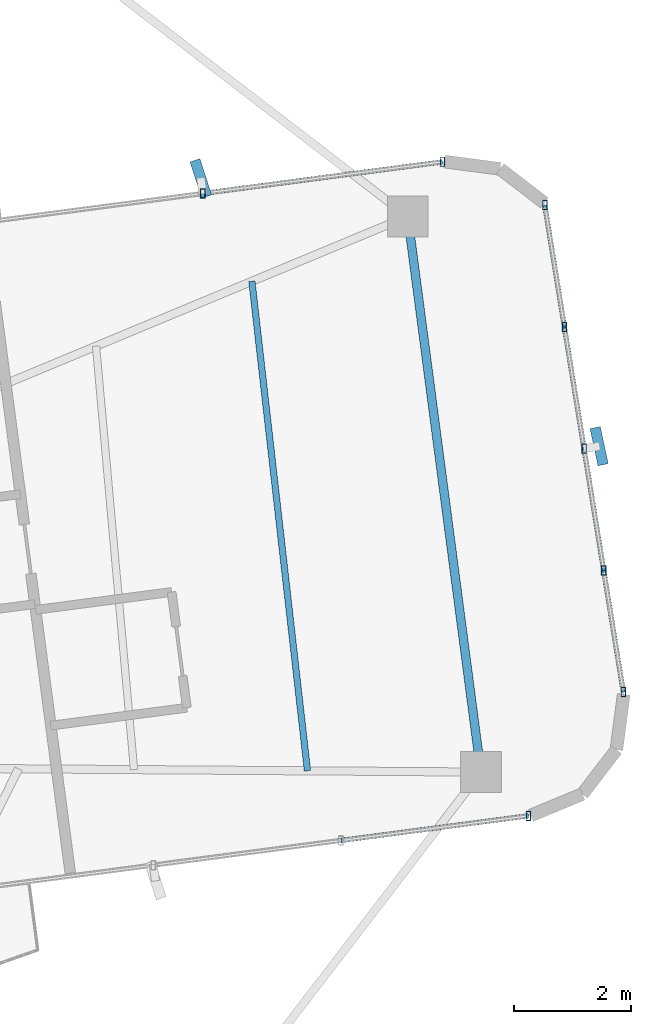
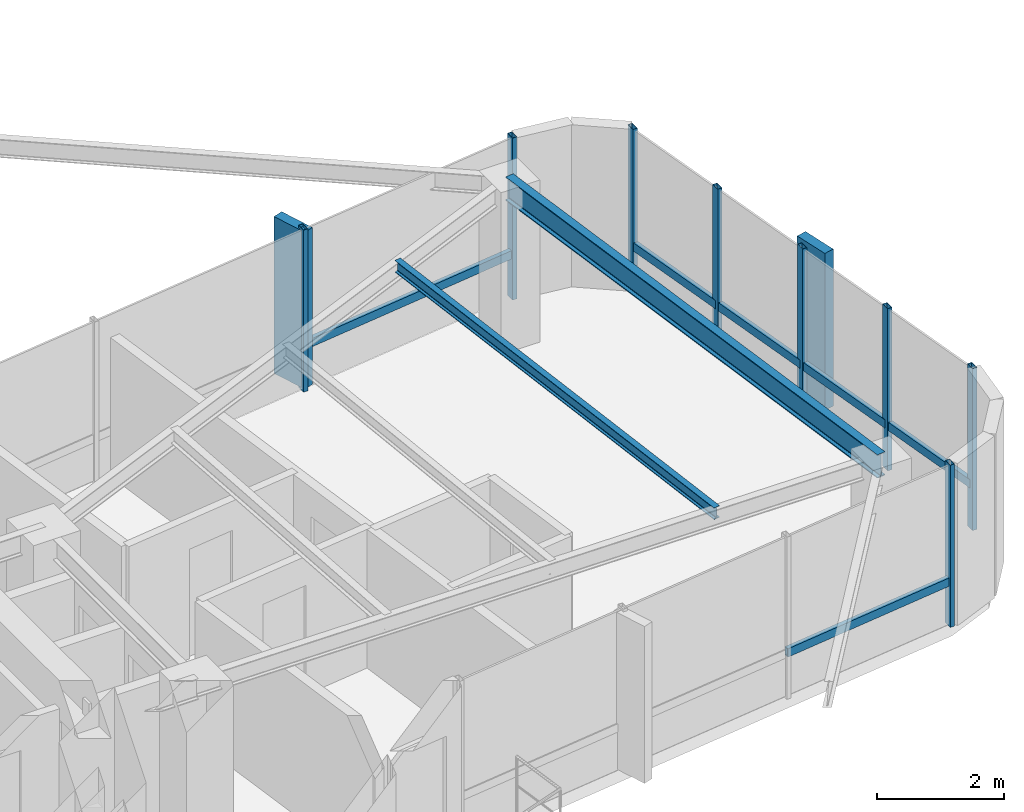
# One storey, part 12 of 21: 16 members, 2 beams, 3 elements without a shape of their own.
"""IFC4 building model written with IfcOpenShell, lengths in metres."""

from ifc_helpers import new_model, si_unit, direction, frame, origin, origin_2d, place, context, subcontext, project, spatial, rectangle, hollow_rectangle, i_section, extrude, source, transform, mapped, material, material_profile, profile_set, type_object, element, aggregate, save


model = new_model("IFC4")

# Units and contexts
model_context = context("Model", 3, precision=1e-05, world=origin(), true_north=direction((0.0, 1.0)))
body_context = subcontext(model_context, "Body", "Model", "MODEL_VIEW")
ifc_project = project(units=[si_unit("LENGTHUNIT", "METRE"), si_unit("AREAUNIT", "SQUARE_METRE"), si_unit("VOLUMEUNIT", "CUBIC_METRE"), si_unit("PLANEANGLEUNIT", "RADIAN"), si_unit("MASSUNIT", "GRAM", prefix="KILO")], contexts=[model_context])

# Site, building, storey
site_placement = place(None, origin())
site = spatial("IfcSite", under=ifc_project, at=site_placement, CompositionType="ELEMENT")
building_placement = place(site_placement, origin())
building = spatial("IfcBuilding", under=site, at=building_placement, Name="Sahyath Konkavel Grand Hotel", CompositionType="ELEMENT")
storey_placement = place(building_placement, frame((0.0, 0.0, 209.85009765625)))
storey = spatial("IfcBuildingStorey", under=building, at=storey_placement, Name="L58", CompositionType="ELEMENT", Elevation=209.85009765625)

# Beams
ifc_material_1 = material(Name="Steel E350", Category="steel")
ifc_material_profile_1 = material_profile(ifc_material_1, i_section(OverallWidth=0.14990234375, OverallDepth=0.449951171875, WebThickness=0.009521484375, FlangeThickness=0.017333984375, FilletRadius=0.014892578125, at=origin_2d()), Name="ISMB 450")
ifc_profile_set_1 = profile_set([ifc_material_profile_1], Name="Steel E350")
beam_type_1 = type_object("IfcBeamType", Name="BM-ISMB450", PredefinedType="BEAM", material=ifc_profile_set_1)
shared_shape_1 = source(origin(), body_context, "Body", "SweptSolid", [
    extrude(i_section(OverallWidth=0.14990234375, OverallDepth=0.449951171875, WebThickness=0.009521484375, FlangeThickness=0.017333984375, FilletRadius=0.014892578125, at=origin_2d()), origin(), (0.0, 0.0, 1.0), 9.599853515625),
])
beam_1_placement = place(storey_placement, frame((17.877685546875, -2.48779296875, 2.885009765625), z_axis=(-0.130539375757, 0.991443125639, 0.0), x_axis=(-0.991443125639, -0.130539375757, 0.0)))
element("IfcBeam", 1, at=beam_1_placement, inside=storey, type_object=beam_type_1, Name="L58 Wing Tip Edge Beam E", PredefinedType="BEAM", context=body_context, shape_type="MappedRepresentation", body=[
    mapped(shared_shape_1, transform((0.0, 0.0, 0.0), scale=1.0)),
])
ifc_material_profile_2 = material_profile(ifc_material_1, i_section(OverallWidth=0.110107421875, OverallDepth=0.22509765625, WebThickness=0.006591796875, FlangeThickness=0.01171875, FilletRadius=0.011962890625, at=origin_2d()), Name="ISMB 225")
ifc_profile_set_2 = profile_set([ifc_material_profile_2], Name="Steel E350")
beam_type_2 = type_object("IfcBeamType", Name="BM-ISMB225", PredefinedType="BEAM", material=ifc_profile_set_2)
shared_shape_2 = source(origin(), body_context, "Body", "SweptSolid", [
    extrude(i_section(OverallWidth=0.110107421875, OverallDepth=0.22509765625, WebThickness=0.006591796875, FlangeThickness=0.01171875, FilletRadius=0.011962890625, at=origin_2d()), origin(), (0.0, 0.0, 1.0), 8.439697265625),
])
beam_2_placement = place(storey_placement, frame((14.906982421875, -2.466796875, 2.997314453125), z_axis=(-0.112847377236, 0.993612333584, 0.0), x_axis=(-0.993612333584, -0.112847377236, 0.0)))
element("IfcBeam", 2, at=beam_2_placement, inside=storey, type_object=beam_type_2, Name="L58 Secondary Floor Beam E-3", PredefinedType="BEAM", context=body_context, shape_type="MappedRepresentation", body=[
    mapped(shared_shape_2, transform((0.0, 0.0, 0.0), scale=1.0)),
])

# Curtain wall, member
ifc_material_2 = material(Name="Anodised Bronze Aluminium & Low-E Glazing", Category="aluminium")
curtain_wall_type = type_object("IfcCurtainWallType", Name="CW-ZONE4", PredefinedType="NOTDEFINED", material=ifc_material_2)
curtain_wall_1_placement = place(storey_placement, origin())
curtain_wall_1 = element("IfcCurtainWall", 3, at=curtain_wall_1_placement, inside=storey, type_object=curtain_wall_type, Name="L58 Unitised Curtain Wall F0", PredefinedType="NOTDEFINED")
ifc_material_3 = material(Name="Anodised Bronze Aluminium", Category="aluminium")
ifc_material_profile_3 = material_profile(ifc_material_3, hollow_rectangle(XDim=0.080078125, YDim=0.159912109375, WallThickness=0.006103515625, at=origin_2d()), Name="RHS 160x80x6")
ifc_profile_set_3 = profile_set([ifc_material_profile_3], Name="Anodised Bronze Aluminium")
member_type_1 = type_object("IfcMemberType", Name="CW-MUL-160", PredefinedType="MULLION", material=ifc_profile_set_3)
shared_shape_3 = source(origin(), body_context, "Body", "SweptSolid", [
    extrude(hollow_rectangle(XDim=0.080078125, YDim=0.159912109375, WallThickness=0.006103515625, at=origin_2d()), origin(), (0.0, 0.0, 1.0), 3.10986328125),
])
member_1_placement = place(storey_placement, frame((18.6923828125, -3.23779296875, 0.0), z_axis=(0.0, 0.0, 1.0), x_axis=(1.0, 0.0, 0.0)))
member_1 = element("IfcMember", 4, at=member_1_placement, type_object=member_type_1, Name="L58 Curtain Wall Mullion F0-3", PredefinedType="MULLION", context=body_context, shape_type="MappedRepresentation", body=[
    mapped(shared_shape_3, transform((0.0, 0.0, 0.0), scale=1.0)),
])

# Curtain wall, members
curtain_wall_2_placement = place(storey_placement, origin())
curtain_wall_2 = element("IfcCurtainWall", 5, at=curtain_wall_2_placement, inside=storey, type_object=curtain_wall_type, Name="L58 Unitised Curtain Wall F4", PredefinedType="NOTDEFINED")
member_2_placement = place(storey_placement, frame((20.318603515625, -1.117431640625, 0.0), z_axis=(0.0, 0.0, 1.0), x_axis=(1.0, 0.0, 0.0)))
member_2 = element("IfcMember", 6, at=member_2_placement, type_object=member_type_1, Name="L58 Curtain Wall Mullion F4-0", PredefinedType="MULLION", context=body_context, shape_type="MappedRepresentation", body=[
    mapped(shared_shape_3, transform((0.0, 0.0, 0.0), scale=1.0)),
])
member_3_placement = place(storey_placement, frame((19.982177734375, 0.9677734375, 0.0), z_axis=(0.0, 0.0, 1.0), x_axis=(1.0, 0.0, 0.0)))
member_3 = element("IfcMember", 7, at=member_3_placement, type_object=member_type_1, Name="L58 Curtain Wall Mullion F4-1", PredefinedType="MULLION", context=body_context, shape_type="MappedRepresentation", body=[
    mapped(shared_shape_3, transform((0.0, 0.0, 0.0), scale=1.0)),
])
member_4_placement = place(storey_placement, frame((19.6455078125, 3.052734375, 0.0), z_axis=(0.0, 0.0, 1.0), x_axis=(1.0, 0.0, 0.0)))
member_4 = element("IfcMember", 8, at=member_4_placement, type_object=member_type_1, Name="L58 Curtain Wall Mullion F4-2", PredefinedType="MULLION", context=body_context, shape_type="MappedRepresentation", body=[
    mapped(shared_shape_3, transform((0.0, 0.0, 0.0), scale=1.0)),
])
member_5_placement = place(storey_placement, frame((19.30908203125, 5.137939453125, 0.0), z_axis=(0.0, 0.0, 1.0), x_axis=(1.0, 0.0, 0.0)))
member_5 = element("IfcMember", 9, at=member_5_placement, type_object=member_type_1, Name="L58 Curtain Wall Mullion F4-3", PredefinedType="MULLION", context=body_context, shape_type="MappedRepresentation", body=[
    mapped(shared_shape_3, transform((0.0, 0.0, 0.0), scale=1.0)),
])
member_6_placement = place(storey_placement, frame((18.972900390625, 7.22314453125, 0.0), z_axis=(0.0, 0.0, 1.0), x_axis=(1.0, 0.0, 0.0)))
member_6 = element("IfcMember", 10, at=member_6_placement, type_object=member_type_1, Name="L58 Curtain Wall Mullion F4-4", PredefinedType="MULLION", context=body_context, shape_type="MappedRepresentation", body=[
    mapped(shared_shape_3, transform((0.0, 0.0, 0.0), scale=1.0)),
])

curtain_wall_3_placement = place(storey_placement, origin())
curtain_wall_3 = element("IfcCurtainWall", 11, at=curtain_wall_3_placement, inside=storey, type_object=curtain_wall_type, Name="L58 Unitised Curtain Wall F7", PredefinedType="NOTDEFINED")
member_7_placement = place(storey_placement, frame((17.217529296875, 7.965576171875, 0.0), z_axis=(0.0, 0.0, 1.0), x_axis=(1.0, 0.0, 0.0)))
member_7 = element("IfcMember", 12, at=member_7_placement, type_object=member_type_1, Name="L58 Curtain Wall Mullion F7-0", PredefinedType="MULLION", context=body_context, shape_type="MappedRepresentation", body=[
    mapped(shared_shape_3, transform((0.0, 0.0, 0.0), scale=1.0)),
])
member_8_placement = place(storey_placement, frame((13.113037109375, 7.425048828125, 0.0), z_axis=(0.0, 0.0, 1.0), x_axis=(1.0, 0.0, 0.0)))
member_8 = element("IfcMember", 13, at=member_8_placement, type_object=member_type_1, Name="L58 Curtain Wall Mullion F7-1", PredefinedType="MULLION", context=body_context, shape_type="MappedRepresentation", body=[
    mapped(shared_shape_3, transform((0.0, 0.0, 0.0), scale=1.0)),
])

# Member
ifc_material_4 = material(Name="Warm Buff Sandstone Cladding on Concrete C50/60", Category="masonry")
ifc_material_profile_4 = material_profile(ifc_material_4, rectangle(XDim=0.179931640625, YDim=0.64990234375, at=origin_2d()), Name="FIN 180x650")
ifc_profile_set_4 = profile_set([ifc_material_profile_4], Name="Warm Buff Sandstone Cladding on Concrete C50/60")
member_type_2 = type_object("IfcMemberType", Name="FIN-SANDSTONE-650", PredefinedType="MULLION", material=ifc_profile_set_4)
shared_shape_4 = source(origin(), body_context, "Body", "SweptSolid", [
    extrude(rectangle(XDim=0.179931640625, YDim=0.64990234375, at=origin_2d()), origin(), (0.0, 0.0, 1.0), 3.010009765625),
])
member_9_placement = place(storey_placement, frame((19.90234375, 3.09423828125, 0.0498046875), z_axis=(0.0, 0.0, 1.0), x_axis=(0.977746636525, 0.209789215079, 0.0)))
member_9 = element("IfcMember", 14, at=member_9_placement, type_object=member_type_2, Name="L58 Sandstone Vertical Solar Fin FIN F4-2", PredefinedType="MULLION", context=body_context, shape_type="MappedRepresentation", body=[
    mapped(shared_shape_4, transform((0.0, 0.0, 0.0), scale=1.0)),
])

member_10_placement = place(storey_placement, frame((13.0791015625, 7.682861328125, 0.0498046875), z_axis=(0.0, 0.0, 1.0), x_axis=(0.951164325631, 0.308684994204, 0.0)))
member_10 = element("IfcMember", 15, at=member_10_placement, type_object=member_type_2, Name="L58 Sandstone Vertical Solar Fin FIN F7-1", PredefinedType="MULLION", context=body_context, shape_type="MappedRepresentation", body=[
    mapped(shared_shape_4, transform((0.0, 0.0, 0.0), scale=1.0)),
])

ifc_material_profile_5 = material_profile(ifc_material_3, hollow_rectangle(XDim=0.080078125, YDim=0.159912109375, WallThickness=0.006103515625, at=origin_2d()), Name="RHS 160x80x6")
ifc_profile_set_5 = profile_set([ifc_material_profile_5], Name="Anodised Bronze Aluminium")
member_type_3 = type_object("IfcMemberType", Name="CW-TRN-160", PredefinedType="USERDEFINED", material=ifc_profile_set_5)
shared_shape_5 = source(origin(), body_context, "Body", "SweptSolid", [
    extrude(hollow_rectangle(XDim=0.080078125, YDim=0.159912109375, WallThickness=0.006103515625, at=origin_2d()), origin(), (0.0, 0.0, 1.0), 3.239990234375),
])
member_11_placement = place(storey_placement, frame((15.480224609375, -3.66064453125, 0.849853515625), z_axis=(0.991446342692, 0.130514939997, 0.0), x_axis=(-0.130514939997, 0.991446342692, 0.0)))
member_11 = element("IfcMember", 16, at=member_11_placement, type_object=member_type_3, Name="L58 Curtain Wall Transom F0-2-spandrel", ObjectType="TRANSOM", PredefinedType="USERDEFINED", context=body_context, shape_type="MappedRepresentation", body=[
    mapped(shared_shape_5, transform((0.0, 0.0, 0.0), scale=1.0)),
])

aggregate(curtain_wall_1, [member_1, member_11])

shared_shape_6 = source(origin(), body_context, "Body", "SweptSolid", [
    extrude(hollow_rectangle(XDim=0.080078125, YDim=0.159912109375, WallThickness=0.006103515625, at=origin_2d()), origin(), (0.0, 0.0, 1.0), 2.112060546875),
])
member_12_placement = place(storey_placement, frame((20.318603515625, -1.117431640625, 0.849853515625), z_axis=(-0.159279681841, 0.987233499712, 0.0), x_axis=(-0.987233499712, -0.159279681841, 0.0)))
member_12 = element("IfcMember", 17, at=member_12_placement, type_object=member_type_3, Name="L58 Curtain Wall Transom F4-0-spandrel", ObjectType="TRANSOM", PredefinedType="USERDEFINED", context=body_context, shape_type="MappedRepresentation", body=[
    mapped(shared_shape_6, transform((0.0, 0.0, 0.0), scale=1.0)),
])

member_13_placement = place(storey_placement, frame((19.982177734375, 0.9677734375, 0.849853515625), z_axis=(-0.159410523793, 0.98721238085, 0.0), x_axis=(-0.98721238085, -0.159410523793, 0.0)))
member_13 = element("IfcMember", 18, at=member_13_placement, type_object=member_type_3, Name="L58 Curtain Wall Transom F4-1-spandrel", ObjectType="TRANSOM", PredefinedType="USERDEFINED", context=body_context, shape_type="MappedRepresentation", body=[
    mapped(shared_shape_6, transform((0.0, 0.0, 0.0), scale=1.0)),
])

member_14_placement = place(storey_placement, frame((19.6455078125, 3.052734375, 0.849853515625), z_axis=(-0.159279681841, 0.987233499712, 0.0), x_axis=(-0.987233499712, -0.159279681841, 0.0)))
member_14 = element("IfcMember", 19, at=member_14_placement, type_object=member_type_3, Name="L58 Curtain Wall Transom F4-2-spandrel", ObjectType="TRANSOM", PredefinedType="USERDEFINED", context=body_context, shape_type="MappedRepresentation", body=[
    mapped(shared_shape_6, transform((0.0, 0.0, 0.0), scale=1.0)),
])

member_15_placement = place(storey_placement, frame((19.30908203125, 5.137939453125, 0.849853515625), z_axis=(-0.159167023612, 0.98725166933, 0.0), x_axis=(-0.98725166933, -0.159167023612, 0.0)))
member_15 = element("IfcMember", 20, at=member_15_placement, type_object=member_type_3, Name="L58 Curtain Wall Transom F4-3-spandrel", ObjectType="TRANSOM", PredefinedType="USERDEFINED", context=body_context, shape_type="MappedRepresentation", body=[
    mapped(shared_shape_6, transform((0.0, 0.0, 0.0), scale=1.0)),
])

aggregate(curtain_wall_2, [member_2, member_3, member_4, member_9, member_5, member_6, member_12, member_13, member_14, member_15])

shared_shape_7 = source(origin(), body_context, "Body", "SweptSolid", [
    extrude(hollow_rectangle(XDim=0.080078125, YDim=0.159912109375, WallThickness=0.006103515625, at=origin_2d()), origin(), (0.0, 0.0, 1.0), 4.139892578125),
])
member_16_placement = place(storey_placement, frame((17.217529296875, 7.965576171875, 0.849853515625), z_axis=(-0.991439837467, -0.130564346904, 0.0), x_axis=(0.130564346904, -0.991439837467, 0.0)))
member_16 = element("IfcMember", 21, at=member_16_placement, type_object=member_type_3, Name="L58 Curtain Wall Transom F7-0-spandrel", ObjectType="TRANSOM", PredefinedType="USERDEFINED", context=body_context, shape_type="MappedRepresentation", body=[
    mapped(shared_shape_7, transform((0.0, 0.0, 0.0), scale=1.0)),
])

aggregate(curtain_wall_3, [member_7, member_8, member_10, member_16])

save(model, "model.ifc")
